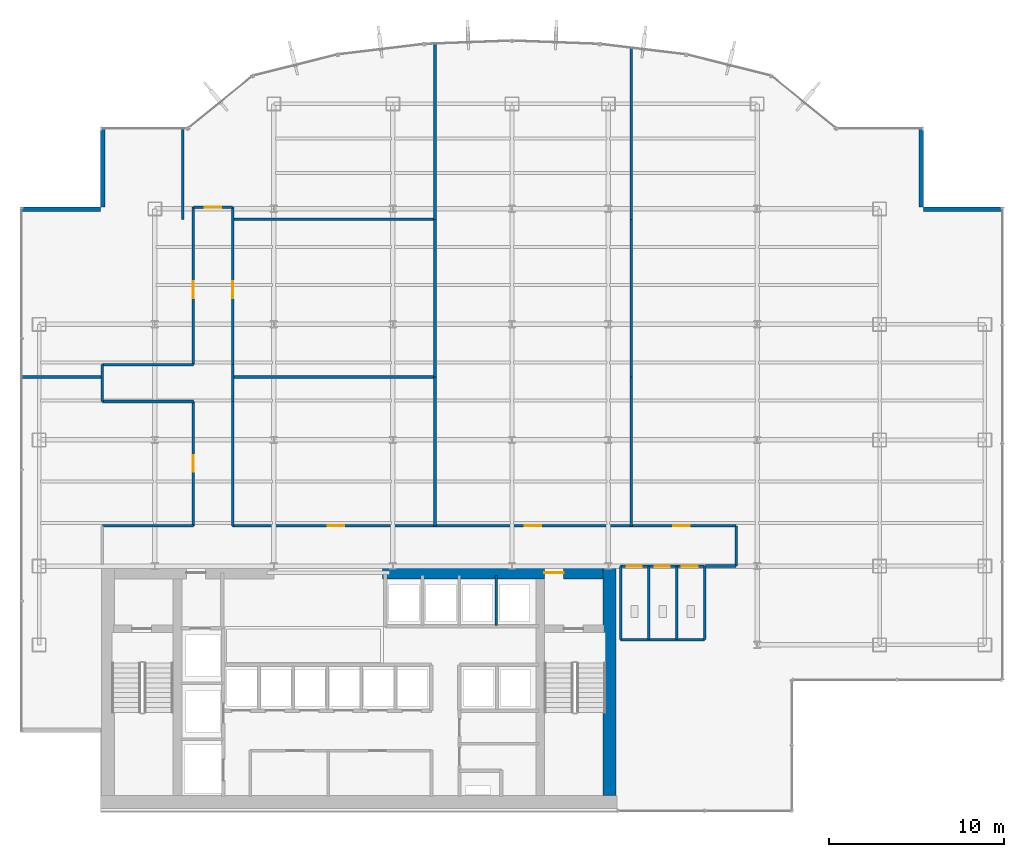
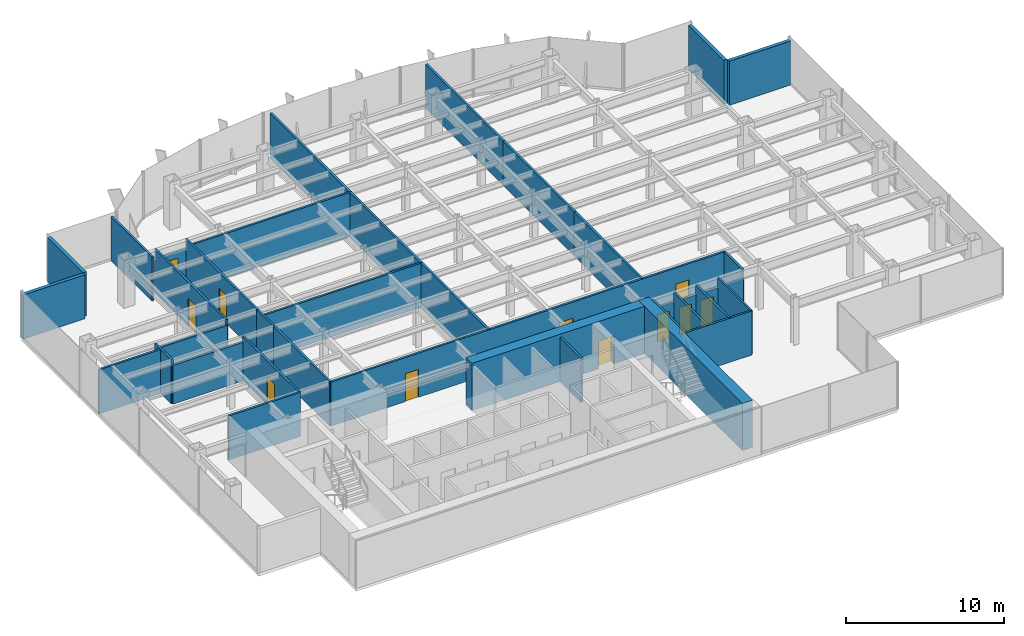
# One storey, part 22 of 26: 36 walls, 11 doors, 11 openings.
"""IFC4 building model written with IfcOpenShell, lengths in metres."""

import ifcopenshell
import ifcopenshell.guid

model = None  # the IFC model being written
_history = None  # IfcOwnerHistory: only IFC2X3 demands one
_inside = {}  # id of a spatial element -> (the spatial element, [elements in it])
_under = {}  # id of a project, library or spatial element -> (it, [spatial elements below it])
_declared = {}  # id of a project -> (the project, [libraries it declares])
_typed = {}  # id of a type object -> (the type object, [elements of that type])
_made_of = {}  # id of a material, layer set ... -> (it, [elements and type objects made of it])


def new_model(schema):
    """Start an empty IFC model of exactly this schema.

    Asked for "IFC4X3", IfcOpenShell would pick the latest addendum, in which some entities
    have other attributes; the version numbers below select the first issue.
    IFC2X3 requires an IfcOwnerHistory on every rooted entity: one is made here for all.
    """
    global model, _history
    if schema == "IFC4X3":
        model = ifcopenshell.file(schema_version=(4, 3, 0, 0))
    else:
        model = ifcopenshell.file(schema=schema)
    _inside.clear()
    _under.clear()
    _declared.clear()
    _typed.clear()
    _made_of.clear()
    _history = None
    if model.schema == "IFC2X3":
        org = make("IfcOrganization", Name="unknown")
        user = make(
            "IfcPersonAndOrganization",
            ThePerson=make("IfcPerson", FamilyName="unknown"),
            TheOrganization=org,
        )
        app = make(
            "IfcApplication",
            ApplicationDeveloper=org,
            Version="unknown",
            ApplicationFullName="unknown",
            ApplicationIdentifier="unknown",
        )
        _history = make(
            "IfcOwnerHistory",
            OwningUser=user,
            OwningApplication=app,
            ChangeAction="ADDED",
            CreationDate=0,
        )
    return model


def make(cls, **values):
    """One entity of the class cls with the attributes given. An attribute that is None is left unset."""
    return model.create_entity(
        cls, **{name: value for name, value in values.items() if value is not None}
    )


def rooted(cls, **values):
    """An entity with a GlobalId (a new one), such as an element, a storey or a relation."""
    return make(cls, GlobalId=ifcopenshell.guid.new(), OwnerHistory=_history, **values)


def si_unit(unit_type, name, prefix=None):
    """IfcSIUnit, for example si_unit("LENGTHUNIT", "METRE", prefix="MILLI")."""
    return make("IfcSIUnit", UnitType=unit_type, Prefix=prefix, Name=name)


def derived_unit(unit_type, elements):
    """IfcDerivedUnit: a product of units, each with its exponent."""
    return make(
        "IfcDerivedUnit",
        Elements=[
            make("IfcDerivedUnitElement", Unit=unit, Exponent=power)
            for unit, power in elements
        ],
        UnitType=unit_type,
    )


def assignment(units):
    """IfcUnitAssignment: the units of a project."""
    return None if units is None else make("IfcUnitAssignment", Units=units)


def point(xyz):
    """IfcCartesianPoint."""
    return None if xyz is None else make("IfcCartesianPoint", Coordinates=xyz)


def direction(xyz):
    """IfcDirection."""
    return None if xyz is None else make("IfcDirection", DirectionRatios=xyz)


def frame(location, z_axis=None, x_axis=None):
    """IfcAxis2Placement3D, a coordinate frame: its origin and axes. An axis left out is left unset."""
    return make(
        "IfcAxis2Placement3D",
        Location=point(location),
        Axis=direction(z_axis),
        RefDirection=direction(x_axis),
    )


def frame_2d(location, x_axis=None):
    """IfcAxis2Placement2D, a coordinate frame in the plane: its origin and x axis."""
    return make(
        "IfcAxis2Placement2D", Location=point(location), RefDirection=direction(x_axis)
    )


def origin():
    """The frame at (0, 0, 0) with its axes left unset."""
    return frame((0.0, 0.0, 0.0))


def place(relative_to, where):
    """IfcLocalPlacement: puts the frame where relative to a parent placement (None: the world)."""
    return make(
        "IfcLocalPlacement", PlacementRelTo=relative_to, RelativePlacement=where
    )


def context(
    kind, dimensions, precision=None, world=None, true_north=None, identifier=None
):
    """IfcGeometricRepresentationContext, for example the 3D "Model" context."""
    return make(
        "IfcGeometricRepresentationContext",
        ContextIdentifier=identifier,
        ContextType=kind,
        CoordinateSpaceDimension=dimensions,
        Precision=precision,
        WorldCoordinateSystem=world,
        TrueNorth=true_north,
    )


def subcontext(parent, identifier, kind, view, scale=None):
    """IfcGeometricRepresentationSubContext, for example "Body" below "Model"."""
    return make(
        "IfcGeometricRepresentationSubContext",
        ContextIdentifier=identifier,
        ContextType=kind,
        ParentContext=parent,
        TargetScale=scale,
        TargetView=view,
    )


def project(units=None, contexts=None):
    """IfcProject with its units and contexts."""
    return rooted(
        "IfcProject",
        Name="project",
        RepresentationContexts=contexts,
        UnitsInContext=assignment(units),
    )


def spatial(cls, under=None, at=None, **own):
    """A site, building, storey or space (cls), placed at a placement, below another one or the project."""
    s = rooted(cls, ObjectPlacement=at, **own)
    if under is not None:
        _under.setdefault(under.id(), (under, []))[1].append(s)
    return s


def profile(cls, at=None, kind="AREA", **sizes):
    """A parametric profile (cls). Its sizes go by their IFC names, for example OverallWidth=200.0."""
    return make(cls, ProfileType=kind, Position=at, **sizes)


def rectangle(**sizes):
    """IfcRectangleProfileDef."""
    return profile("IfcRectangleProfileDef", **sizes)


def extrude(swept, where, along, depth):
    """IfcExtrudedAreaSolid: the profile swept, set in the frame where, extruded along a direction by depth."""
    return make(
        "IfcExtrudedAreaSolid",
        SweptArea=swept,
        Position=where,
        ExtrudedDirection=direction(along),
        Depth=depth,
    )


def shape(context_of_items, identifier, shape_type, items):
    """IfcShapeRepresentation: the items that make up one representation, for example the "Body"."""
    return make(
        "IfcShapeRepresentation",
        ContextOfItems=context_of_items,
        RepresentationIdentifier=identifier,
        RepresentationType=shape_type,
        Items=items,
    )


def source(mapping_origin, context_of_items, identifier, shape_type, items):
    """IfcRepresentationMap: a shape defined once, which mapped items show again and again."""
    return make(
        "IfcRepresentationMap",
        MappingOrigin=mapping_origin,
        MappedRepresentation=shape(context_of_items, identifier, shape_type, items),
    )


def transform(
    local_origin,
    x_axis=None,
    y_axis=None,
    z_axis=None,
    scale=None,
    scale2=None,
    scale3=None,
    uniform=True,
):
    """IfcCartesianTransformationOperator3D, or its non-uniform kind. x_axis, y_axis, z_axis: its Axis1, 2, 3."""
    if uniform:
        return make(
            "IfcCartesianTransformationOperator3D",
            Axis1=direction(x_axis),
            Axis2=direction(y_axis),
            LocalOrigin=point(local_origin),
            Scale=scale,
            Axis3=direction(z_axis),
        )
    return make(
        "IfcCartesianTransformationOperator3DnonUniform",
        Axis1=direction(x_axis),
        Axis2=direction(y_axis),
        LocalOrigin=point(local_origin),
        Scale=scale,
        Axis3=direction(z_axis),
        Scale2=scale2,
        Scale3=scale3,
    )


def mapped(mapping_source, mapping_target):
    """IfcMappedItem: shows the shape of a source again, moved by a transform."""
    return make(
        "IfcMappedItem", MappingSource=mapping_source, MappingTarget=mapping_target
    )


def material(Name=None, Category=None):
    """IfcMaterial."""
    return make("IfcMaterial", Name=Name, Category=Category)


def layer(
    of_material, thickness, ventilated=None, Name=None, Category=None, Priority=None
):
    """IfcMaterialLayer: one layer of a wall or slab, of a material (None: an air gap)."""
    return make(
        "IfcMaterialLayer",
        Material=of_material,
        LayerThickness=thickness,
        IsVentilated=ventilated,
        Name=Name,
        Category=Category,
        Priority=Priority,
    )


def layer_set(layers, Name=None):
    """IfcMaterialLayerSet."""
    return make("IfcMaterialLayerSet", MaterialLayers=layers, LayerSetName=Name)


def made_of(thing, what):
    """Note that an element or type object is made of a material, layer set ...; save() writes the relation."""
    if what is not None:
        _made_of.setdefault(what.id(), (what, []))[1].append(thing)
    return thing


def type_object(cls, material=None, **own):
    """A type object (cls), such as IfcWallType, which elements share."""
    return made_of(rooted(cls, **own), material)


def element(
    cls,
    number,
    at=None,
    inside=None,
    cuts=None,
    type_object=None,
    material=None,
    context=None,
    identifier="Body",
    shape_type=None,
    held_by="IfcProductDefinitionShape",
    body=None,
    shapes=None,
    **own,
):
    """One element of the class cls, such as IfcWall. Its Tag is "e" and its number.

    at: its placement. inside: the storey or other place that contains it. cuts: it is an
    opening in that element (IfcRelVoidsElement). A single representation is given by context,
    identifier, shape_type and body (its items); several are given by shapes. held_by: the class
    of the entity that holds the representations. save() writes the other relations.
    """
    e = rooted(cls, Tag="e%d" % number, ObjectPlacement=at, **own)
    if body is not None:
        shapes = [shape(context, identifier, shape_type, body)]
    if shapes is not None:
        e.Representation = make(held_by, Representations=shapes)
    if inside is not None:
        _inside.setdefault(inside.id(), (inside, []))[1].append(e)
    if cuts is not None:
        rooted(
            "IfcRelVoidsElement", RelatingBuildingElement=cuts, RelatedOpeningElement=e
        )
    if type_object is not None:
        _typed.setdefault(type_object.id(), (type_object, []))[1].append(e)
    return made_of(e, material)


def fill(opening, filler):
    """IfcRelFillsElement: the door or window that sits in an opening."""
    return rooted(
        "IfcRelFillsElement",
        RelatingOpeningElement=opening,
        RelatedBuildingElement=filler,
    )


def aggregate(whole, parts):
    """IfcRelAggregates: a whole, such as a stair, and the parts it consists of."""
    return rooted("IfcRelAggregates", RelatingObject=whole, RelatedObjects=parts)


def save(model, path):
    """Write the relations noted so far, then the file.

    IfcRelAggregates (storeys below a building ...), IfcRelContainedInSpatialStructure (elements
    in a storey), IfcRelDefinesByType, IfcRelAssociatesMaterial and IfcRelDeclares: one each for
    every whole, place, type object, material and project.
    """
    for whole, parts in _under.values():
        aggregate(whole, parts)
    for where, things in _inside.values():
        rooted(
            "IfcRelContainedInSpatialStructure",
            RelatedElements=things,
            RelatingStructure=where,
        )
    for kind, things in _typed.values():
        rooted("IfcRelDefinesByType", RelatedObjects=things, RelatingType=kind)
    for what, things in _made_of.values():
        rooted("IfcRelAssociatesMaterial", RelatedObjects=things, RelatingMaterial=what)
    for by, libraries in _declared.values():
        rooted("IfcRelDeclares", RelatingContext=by, RelatedDefinitions=libraries)
    model.write(path)


model = new_model("IFC4")

# Units and contexts
model_context = context("Model", 3, precision=1e-05, world=origin(), true_north=direction((0.0, 1.0)))
body_context = subcontext(model_context, "Body", "Model", "MODEL_VIEW")
ifc_project = project(units=[si_unit("LENGTHUNIT", "METRE"), si_unit("AREAUNIT", "SQUARE_METRE"), si_unit("VOLUMEUNIT", "CUBIC_METRE"), si_unit("PLANEANGLEUNIT", "RADIAN"), si_unit("MASSUNIT", "GRAM", prefix="KILO"), derived_unit("THERMALTRANSMITTANCEUNIT", [(si_unit("POWERUNIT", "WATT"), 1), (si_unit("LENGTHUNIT", "METRE"), -2), (si_unit("THERMODYNAMICTEMPERATUREUNIT", "KELVIN"), -1)])], contexts=[model_context])

# Site, building, storey
site_placement = place(None, origin())
site = spatial("IfcSite", under=ifc_project, at=site_placement, CompositionType="ELEMENT")
building_placement = place(site_placement, origin())
building = spatial("IfcBuilding", under=site, at=building_placement, Name="Skarnbrae Concourse Arena and Tower", CompositionType="ELEMENT")
storey_placement = place(building_placement, frame((0.0, 0.0, 125.14990234375)))
storey = spatial("IfcBuildingStorey", under=building, at=storey_placement, Name="L31", CompositionType="ELEMENT", Elevation=125.14990234375)

# Wall
ifc_material_1 = material(Name="Concrete 60 MPa (C60/75)", Category="concrete")
ifc_layer_1 = layer(ifc_material_1, 0.75)
ifc_layer_set_1 = layer_set([ifc_layer_1], Name="Concrete 60 MPa (C60/75)")
wall_type_1 = type_object("IfcWallType", Name="WALL-CORE-750-C60", PredefinedType="SHEAR", material=ifc_layer_set_1)
shared_shape_1 = source(origin(), body_context, "Body", "SweptSolid", [
    extrude(rectangle(XDim=13.10009765625, YDim=0.75, at=frame_2d((6.550048828125, 0.0))), origin(), (0.0, 0.0, 1.0), 3.650146484375),
])
wall_1_placement = place(storey_placement, frame((33.574951171875, 0.89990234375, 0.0), z_axis=(0.0, 0.0, 1.0), x_axis=(0.0, 1.0, 0.0)))
element("IfcWall", 1, at=wall_1_placement, inside=storey, type_object=wall_type_1, Name="L31 Rear core shear wall CW-E", PredefinedType="SHEAR", context=body_context, shape_type="MappedRepresentation", body=[
    mapped(shared_shape_1, transform((0.0, 0.0, 0.0))),
])

# Wall, opening, door
shared_shape_2 = source(origin(), body_context, "Body", "SweptSolid", [
    extrude(rectangle(XDim=12.599853515625, YDim=0.75, at=frame_2d((6.2998046875, 0.0))), origin(), (0.0, 0.0, 1.0), 3.650146484375),
])
wall_2_placement = place(storey_placement, frame((20.60009765625, 13.625, 0.0), z_axis=(0.0, 0.0, 1.0), x_axis=(1.0, 0.0, 0.0)))
wall_2 = element("IfcWall", 2, at=wall_2_placement, inside=storey, type_object=wall_type_1, Name="L31 Rear core shear wall CW-NE", PredefinedType="SHEAR", context=body_context, shape_type="MappedRepresentation", body=[
    mapped(shared_shape_2, transform((0.0, 0.0, 0.0))),
])
opening_1_placement = place(wall_2_placement, frame((9.25, 0.0, 0.0)))
opening_1 = element("IfcOpeningElement", 3, at=opening_1_placement, cuts=wall_2, Name="Opening DT-03", PredefinedType="OPENING", context=body_context, shape_type="SweptSolid", body=[
    extrude(rectangle(XDim=1.10009765625, YDim=2.14990234375, at=frame_2d((0.550048828125, 1.074951171875))), frame((0.0, 0.385009765625, 0.0), z_axis=(0.0, -1.0, 0.0), x_axis=(1.0, 0.0, 0.0)), (0.0, 0.0, 1.0), 0.77001953125),
])
ifc_material_2 = material(Name="Steel CSA G40.21 350W", Category="steel")
door_type_1 = type_object("IfcDoorType", Name="DOOR-FIRE-1100-90M", OperationType="NOTDEFINED", PredefinedType="DOOR", material=ifc_material_2)
shared_shape_3 = source(origin(), body_context, "Body", "SweptSolid", [
    extrude(rectangle(XDim=1.10009765625, YDim=2.14990234375, at=frame_2d((0.550048828125, 1.074951171875))), frame((0.0, 0.02490234375, 0.0), z_axis=(0.0, -1.0, 0.0), x_axis=(1.0, 0.0, 0.0)), (0.0, 0.0, 1.0), 0.050048828125),
])
door_1_placement = place(opening_1_placement, origin())
door_1 = element("IfcDoor", 4, at=door_1_placement, inside=storey, type_object=door_type_1, Name="D-1004 Stair ST-2 Vestibule Door", OperationType="SINGLE_SWING_LEFT", OverallHeight=2.14990234375, OverallWidth=1.10009765625, PredefinedType="DOOR", context=body_context, shape_type="MappedRepresentation", body=[
    mapped(shared_shape_3, transform((0.0, 0.0, 0.0))),
])
fill(opening_1, door_1)

# Walls
ifc_material_3 = material(Name="Precast concrete 40 MPa (C40/50)", Category="concrete")
ifc_layer_2 = layer(ifc_material_3, 0.25)
ifc_layer_set_2 = layer_set([ifc_layer_2], Name="Precast concrete 40 MPa (C40/50)")
wall_type_2 = type_object("IfcWallType", Name="WALL-EXT-SPANDREL-250", PredefinedType="STANDARD", material=ifc_layer_set_2)
shared_shape_4 = source(origin(), body_context, "Body", "SweptSolid", [
    extrude(rectangle(XDim=4.5, YDim=0.25, at=frame_2d((2.25, 0.0))), origin(), (0.0, 0.0, 1.0), 3.400146484375),
])
for number, where, z_axis, x_axis, name in (
    (5, (56.0, 34.375, 0.0), (0.0, 0.0, 1.0), (-1.0, 0.0, 0.0), "L31 Notched corner insulated return wall 05"),
    (6, (51.375, 34.5, 0.0), (0.0, 0.0, 1.0), (0.0, 1.0, 0.0), "L31 Notched corner insulated return wall 06"),
    (7, (4.625, 39.0, 0.0), (0.0, 0.0, 1.0), (0.0, -1.0, 0.0), "L31 Notched corner insulated return wall 17"),
    (8, (4.5, 34.375, 0.0), (0.0, 0.0, 1.0), (-1.0, 0.0, 0.0), "L31 Notched corner insulated return wall 18"),
):
    element("IfcWall", number, at=place(storey_placement, frame(where, z_axis=z_axis, x_axis=x_axis)), inside=storey, type_object=wall_type_2, Name=name, PredefinedType="STANDARD", context=body_context, shape_type="MappedRepresentation", body=[
        mapped(shared_shape_4, transform((0.0, 0.0, 0.0))),
    ])
ifc_material_4 = material(Name="Gypsum board on cold-formed steel studs", Category="steel")
ifc_layer_3 = layer(ifc_material_4, 0.14990234375)
ifc_layer_set_3 = layer_set([ifc_layer_3], Name="Gypsum board on cold-formed steel studs")
wall_type_3 = type_object("IfcWallType", Name="WALL-PART-150", PredefinedType="PARTITIONING", material=ifc_layer_set_3)
shared_shape_5 = source(origin(), body_context, "Body", "SweptSolid", [
    extrude(rectangle(XDim=2.849853515625, YDim=0.14990234375, at=frame_2d((1.4248046875, 0.0))), origin(), (0.0, 0.0, 1.0), 3.400146484375),
])
wall_3_placement = place(storey_placement, frame((27.090087890625, 10.60009765625, 0.0), z_axis=(0.0, 0.0, 1.0), x_axis=(0.0, 1.0, 0.0)))
element("IfcWall", 9, at=wall_3_placement, inside=storey, type_object=wall_type_3, Name="L31 Interior partition wall W-L31-B3N-P3", PredefinedType="PARTITIONING", context=body_context, shape_type="MappedRepresentation", body=[
    mapped(shared_shape_5, transform((0.0, 0.0, 0.0))),
])
shared_shape_6 = source(origin(), body_context, "Body", "SweptSolid", [
    extrude(rectangle(XDim=4.800048828125, YDim=0.14990234375, at=frame_2d((2.39990234375, 0.0))), origin(), (0.0, 0.0, 1.0), 3.400146484375),
])
wall_4_placement = place(storey_placement, frame((34.199951171875, 9.800048828125, 0.0), z_axis=(0.0, 0.0, 1.0), x_axis=(1.0, 0.0, 0.0)))
element("IfcWall", 10, at=wall_4_placement, inside=storey, type_object=wall_type_3, Name="L31 Interior partition wall W-L31-WC-S", PredefinedType="PARTITIONING", context=body_context, shape_type="MappedRepresentation", body=[
    mapped(shared_shape_6, transform((0.0, 0.0, 0.0))),
])
shared_shape_7 = source(origin(), body_context, "Body", "SweptSolid", [
    extrude(rectangle(XDim=4.179931640625, YDim=0.14990234375, at=frame_2d((2.08984375, 0.0))), origin(), (0.0, 0.0, 1.0), 3.400146484375),
])
for number, where, z_axis, x_axis, name in (
    (11, (39.0, 9.800048828125, 0.0), (0.0, 0.0, 1.0), (0.0, 1.0, 0.0), "L31 Interior partition wall W-L31-WC-E"),
    (12, (34.199951171875, 9.800048828125, 0.0), (0.0, 0.0, 1.0), (0.0, 1.0, 0.0), "L31 Interior partition wall W-L31-WC-W"),
    (13, (35.800048828125, 9.800048828125, 0.0), (0.0, 0.0, 1.0), (0.0, 1.0, 0.0), "L31 Interior partition wall W-L31-WC-D1"),
    (14, (37.39990234375, 9.800048828125, 0.0), (0.0, 0.0, 1.0), (0.0, 1.0, 0.0), "L31 Interior partition wall W-L31-WC-D2"),
):
    element("IfcWall", number, at=place(storey_placement, frame(where, z_axis=z_axis, x_axis=x_axis)), inside=storey, type_object=wall_type_3, Name=name, PredefinedType="PARTITIONING", context=body_context, shape_type="MappedRepresentation", body=[
        mapped(shared_shape_7, transform((0.0, 0.0, 0.0))),
    ])

# Wall, openings, doors
shared_shape_8 = source(origin(), body_context, "Body", "SweptSolid", [
    extrude(rectangle(XDim=4.800048828125, YDim=0.14990234375, at=frame_2d((2.39990234375, 0.0))), origin(), (0.0, 0.0, 1.0), 2.7021484375),
])
wall_5_placement = place(storey_placement, frame((34.199951171875, 13.97998046875, 0.0), z_axis=(0.0, 0.0, 1.0), x_axis=(1.0, 0.0, 0.0)))
wall_5 = element("IfcWall", 15, at=wall_5_placement, inside=storey, type_object=wall_type_3, Name="L31 Interior partition wall W-L31-WC-N", PredefinedType="PARTITIONING", context=body_context, shape_type="MappedRepresentation", body=[
    mapped(shared_shape_8, transform((0.0, 0.0, 0.0))),
])
opening_2_placement = place(wall_5_placement, frame((0.35009765625, 0.0, 0.0)))
opening_2 = element("IfcOpeningElement", 16, at=opening_2_placement, cuts=wall_5, Name="Opening DT-06", PredefinedType="OPENING", context=body_context, shape_type="SweptSolid", body=[
    extrude(rectangle(XDim=0.85009765625, YDim=2.10009765625, at=frame_2d((0.425048828125, 1.050048828125))), frame((0.0, 0.0849609375, 0.0), z_axis=(0.0, -1.0, 0.0), x_axis=(1.0, 0.0, 0.0)), (0.0, 0.0, 1.0), 0.169921875),
])
opening_3_placement = place(wall_5_placement, frame((1.949951171875, 0.0, 0.0)))
opening_3 = element("IfcOpeningElement", 17, at=opening_3_placement, cuts=wall_5, Name="Opening DT-06", PredefinedType="OPENING", context=body_context, shape_type="SweptSolid", body=[
    extrude(rectangle(XDim=0.85009765625, YDim=2.10009765625, at=frame_2d((0.425048828125, 1.050048828125))), frame((0.0, 0.0849609375, 0.0), z_axis=(0.0, -1.0, 0.0), x_axis=(1.0, 0.0, 0.0)), (0.0, 0.0, 1.0), 0.169921875),
])
opening_4_placement = place(wall_5_placement, frame((3.5, 0.0, 0.0)))
opening_4 = element("IfcOpeningElement", 18, at=opening_4_placement, cuts=wall_5, Name="Opening DT-05", PredefinedType="OPENING", context=body_context, shape_type="SweptSolid", body=[
    extrude(rectangle(XDim=0.89990234375, YDim=2.10009765625, at=frame_2d((0.449951171875, 1.050048828125))), frame((0.0, 0.0849609375, 0.0), z_axis=(0.0, -1.0, 0.0), x_axis=(1.0, 0.0, 0.0)), (0.0, 0.0, 1.0), 0.169921875),
])
ifc_material_5 = material(Name="Architectural oak veneer timber leaf", Category="wood")
door_type_2 = type_object("IfcDoorType", Name="DOOR-INT-850", OperationType="NOTDEFINED", PredefinedType="DOOR", material=ifc_material_5)
shared_shape_9 = source(origin(), body_context, "Body", "SweptSolid", [
    extrude(rectangle(XDim=0.85009765625, YDim=2.10009765625, at=frame_2d((0.425048828125, 1.050048828125))), frame((0.0, 0.02490234375, 0.0), z_axis=(0.0, -1.0, 0.0), x_axis=(1.0, 0.0, 0.0)), (0.0, 0.0, 1.0), 0.050048828125),
])
door_2_placement = place(opening_2_placement, frame((0.85009765625, 0.0, 0.0), z_axis=(0.0, 0.0, 1.0), x_axis=(-1.0, 0.0, 0.0)))
door_2 = element("IfcDoor", 19, at=door_2_placement, inside=storey, type_object=door_type_2, Name="D-1018 Male Washroom Door", OperationType="SINGLE_SWING_LEFT", OverallHeight=2.10009765625, OverallWidth=0.85009765625, PredefinedType="DOOR", context=body_context, shape_type="MappedRepresentation", body=[
    mapped(shared_shape_9, transform((0.0, 0.0, 0.0))),
])
fill(opening_2, door_2)
door_3_placement = place(opening_3_placement, frame((0.85009765625, 0.0, 0.0), z_axis=(0.0, 0.0, 1.0), x_axis=(-1.0, 0.0, 0.0)))
door_3 = element("IfcDoor", 20, at=door_3_placement, inside=storey, type_object=door_type_2, Name="D-1019 Female Washroom Door", OperationType="SINGLE_SWING_RIGHT", OverallHeight=2.10009765625, OverallWidth=0.85009765625, PredefinedType="DOOR", context=body_context, shape_type="MappedRepresentation", body=[
    mapped(shared_shape_9, transform((0.0, 0.0, 0.0))),
])
fill(opening_3, door_3)
door_type_3 = type_object("IfcDoorType", Name="DOOR-INT-900", OperationType="NOTDEFINED", PredefinedType="DOOR", material=ifc_material_5)
shared_shape_10 = source(origin(), body_context, "Body", "SweptSolid", [
    extrude(rectangle(XDim=0.89990234375, YDim=2.10009765625, at=frame_2d((0.449951171875, 1.050048828125))), frame((0.0, 0.02490234375, 0.0), z_axis=(0.0, -1.0, 0.0), x_axis=(1.0, 0.0, 0.0)), (0.0, 0.0, 1.0), 0.050048828125),
])
door_4_placement = place(opening_4_placement, frame((0.89990234375, 0.0, 0.0), z_axis=(0.0, 0.0, 1.0), x_axis=(-1.0, 0.0, 0.0)))
door_4 = element("IfcDoor", 21, at=door_4_placement, inside=storey, type_object=door_type_3, Name="D-1020 Accessible WC Door", OperationType="SINGLE_SWING_LEFT", OverallHeight=2.10009765625, OverallWidth=0.89990234375, PredefinedType="DOOR", context=body_context, shape_type="MappedRepresentation", body=[
    mapped(shared_shape_10, transform((0.0, 0.0, 0.0))),
])
fill(opening_4, door_4)

# Wall
ifc_layer_4 = layer(ifc_material_4, 0.14990234375)
ifc_layer_set_4 = layer_set([ifc_layer_4], Name="Gypsum board on cold-formed steel studs")
wall_type_4 = type_object("IfcWallType", Name="WALL-PART-150-1HR", PredefinedType="PARTITIONING", material=ifc_layer_set_4)
shared_shape_11 = source(origin(), body_context, "Body", "SweptSolid", [
    extrude(rectangle(XDim=5.199951171875, YDim=0.14990234375, at=frame_2d((2.60009765625, 0.0))), origin(), (0.0, 0.0, 1.0), 3.400146484375),
])
wall_6_placement = place(storey_placement, frame((4.60009765625, 16.300048828125, 0.0), z_axis=(0.0, 0.0, 1.0), x_axis=(1.0, 0.0, 0.0)))
element("IfcWall", 22, at=wall_6_placement, inside=storey, type_object=wall_type_4, Name="L31 Interior partition wall W-L31-COR-02", PredefinedType="PARTITIONING", context=body_context, shape_type="MappedRepresentation", body=[
    mapped(shared_shape_11, transform((0.0, 0.0, 0.0))),
])

# Wall, opening, door
shared_shape_12 = source(origin(), body_context, "Body", "SweptSolid", [
    extrude(rectangle(XDim=7.099853515625, YDim=0.14990234375, at=frame_2d((3.5498046875, 0.0))), origin(), (0.0, 0.0, 1.0), 3.400146484375),
])
wall_7_placement = place(storey_placement, frame((9.800048828125, 16.300048828125, 0.0), z_axis=(0.0, 0.0, 1.0), x_axis=(0.0, 1.0, 0.0)))
wall_7 = element("IfcWall", 23, at=wall_7_placement, inside=storey, type_object=wall_type_4, Name="L31 Interior partition wall W-L31-COR-03", PredefinedType="PARTITIONING", context=body_context, shape_type="MappedRepresentation", body=[
    mapped(shared_shape_12, transform((0.0, 0.0, 0.0))),
])
opening_5_placement = place(wall_7_placement, frame((3.074951171875, 0.0, 0.0)))
opening_5 = element("IfcOpeningElement", 24, at=opening_5_placement, cuts=wall_7, Name="Opening DT-04", PredefinedType="OPENING", context=body_context, shape_type="SweptSolid", body=[
    extrude(rectangle(XDim=0.949951171875, YDim=2.14990234375, at=frame_2d((0.47509765625, 1.074951171875))), frame((0.0, 0.0849609375, 0.0), z_axis=(0.0, -1.0, 0.0), x_axis=(1.0, 0.0, 0.0)), (0.0, 0.0, 1.0), 0.169921875),
])
door_type_4 = type_object("IfcDoorType", Name="DOOR-INT-950-45M", OperationType="NOTDEFINED", PredefinedType="DOOR", material=ifc_material_2)
shared_shape_13 = source(origin(), body_context, "Body", "SweptSolid", [
    extrude(rectangle(XDim=0.949951171875, YDim=2.14990234375, at=frame_2d((0.47509765625, 1.074951171875))), frame((0.0, 0.02490234375, 0.0), z_axis=(0.0, -1.0, 0.0), x_axis=(1.0, 0.0, 0.0)), (0.0, 0.0, 1.0), 0.050048828125),
])
door_5_placement = place(opening_5_placement, origin())
door_5 = element("IfcDoor", 25, at=door_5_placement, inside=storey, type_object=door_type_4, Name="D-1021 L31 Suite Door 01", OperationType="SINGLE_SWING_RIGHT", OverallHeight=2.14990234375, OverallWidth=0.949951171875, PredefinedType="DOOR", context=body_context, shape_type="MappedRepresentation", body=[
    mapped(shared_shape_13, transform((0.0, 0.0, 0.0))),
])
fill(opening_5, door_5)

# Walls
wall_8_placement = place(storey_placement, frame((12.050048828125, 23.39990234375, 0.0), z_axis=(0.0, 0.0, 1.0), x_axis=(0.0, -1.0, 0.0)))
element("IfcWall", 26, at=wall_8_placement, inside=storey, type_object=wall_type_4, Name="L31 Interior partition wall W-L31-COR-11", PredefinedType="PARTITIONING", context=body_context, shape_type="MappedRepresentation", body=[
    mapped(shared_shape_12, transform((0.0, 0.0, 0.0))),
])
shared_shape_14 = source(origin(), body_context, "Body", "SweptSolid", [
    extrude(rectangle(XDim=5.199951171875, YDim=0.14990234375, at=frame_2d((2.60009765625, 0.0))), origin(), (0.0, 0.0, 1.0), 2.988037109375),
])
for number, where, z_axis, x_axis, name in (
    (27, (9.800048828125, 23.39990234375, 0.0), (0.0, 0.0, 1.0), (-1.0, 0.0, 0.0), "L31 Interior partition wall W-L31-COR-04"),
    (28, (4.60009765625, 25.5, 0.0), (0.0, 0.0, 1.0), (1.0, 0.0, 0.0), "L31 Interior partition wall W-L31-COR-06"),
):
    element("IfcWall", number, at=place(storey_placement, frame(where, z_axis=z_axis, x_axis=x_axis)), inside=storey, type_object=wall_type_4, Name=name, PredefinedType="PARTITIONING", context=body_context, shape_type="MappedRepresentation", body=[
        mapped(shared_shape_14, transform((0.0, 0.0, 0.0))),
    ])
shared_shape_15 = source(origin(), body_context, "Body", "SweptSolid", [
    extrude(rectangle(XDim=2.10009765625, YDim=0.14990234375, at=frame_2d((1.050048828125, 0.0))), origin(), (0.0, 0.0, 1.0), 3.400146484375),
])
for number, where, z_axis, x_axis, name in (
    (29, (4.60009765625, 23.39990234375, 0.0), (0.0, 0.0, 1.0), (0.0, 1.0, 0.0), "L31 Interior partition wall W-L31-COR-05"),
    (30, (12.050048828125, 25.5, 0.0), (0.0, 0.0, 1.0), (0.0, -1.0, 0.0), "L31 Interior partition wall W-L31-COR-10"),
):
    element("IfcWall", number, at=place(storey_placement, frame(where, z_axis=z_axis, x_axis=x_axis)), inside=storey, type_object=wall_type_4, Name=name, PredefinedType="PARTITIONING", context=body_context, shape_type="MappedRepresentation", body=[
        mapped(shared_shape_15, transform((0.0, 0.0, 0.0))),
    ])

# Wall, opening, door
shared_shape_16 = source(origin(), body_context, "Body", "SweptSolid", [
    extrude(rectangle(XDim=9.0, YDim=0.14990234375, at=frame_2d((4.5, 0.0))), origin(), (0.0, 0.0, 1.0), 3.400146484375),
])
wall_9_placement = place(storey_placement, frame((9.800048828125, 25.5, 0.0), z_axis=(0.0, 0.0, 1.0), x_axis=(0.0, 1.0, 0.0)))
wall_9 = element("IfcWall", 31, at=wall_9_placement, inside=storey, type_object=wall_type_4, Name="L31 Interior partition wall W-L31-COR-07", PredefinedType="PARTITIONING", context=body_context, shape_type="MappedRepresentation", body=[
    mapped(shared_shape_16, transform((0.0, 0.0, 0.0))),
])
opening_6_placement = place(wall_9_placement, frame((3.804931640625, 0.0, 0.0)))
opening_6 = element("IfcOpeningElement", 32, at=opening_6_placement, cuts=wall_9, Name="Opening DT-04", PredefinedType="OPENING", context=body_context, shape_type="SweptSolid", body=[
    extrude(rectangle(XDim=0.949951171875, YDim=2.14990234375, at=frame_2d((0.47509765625, 1.074951171875))), frame((0.0, 0.0849609375, 0.0), z_axis=(0.0, -1.0, 0.0), x_axis=(1.0, 0.0, 0.0)), (0.0, 0.0, 1.0), 0.169921875),
])
door_6_placement = place(opening_6_placement, origin())
door_6 = element("IfcDoor", 33, at=door_6_placement, inside=storey, type_object=door_type_4, Name="D-1022 L31 Suite Door 02", OperationType="SINGLE_SWING_LEFT", OverallHeight=2.14990234375, OverallWidth=0.949951171875, PredefinedType="DOOR", context=body_context, shape_type="MappedRepresentation", body=[
    mapped(shared_shape_13, transform((0.0, 0.0, 0.0))),
])
fill(opening_6, door_6)

wall_10_placement = place(storey_placement, frame((12.050048828125, 34.5, 0.0), z_axis=(0.0, 0.0, 1.0), x_axis=(0.0, -1.0, 0.0)))
wall_10 = element("IfcWall", 34, at=wall_10_placement, inside=storey, type_object=wall_type_4, Name="L31 Interior partition wall W-L31-COR-09", PredefinedType="PARTITIONING", context=body_context, shape_type="MappedRepresentation", body=[
    mapped(shared_shape_16, transform((0.0, 0.0, 0.0))),
])
opening_7_placement = place(wall_10_placement, frame((4.2451171875, 0.0, 0.0)))
opening_7 = element("IfcOpeningElement", 35, at=opening_7_placement, cuts=wall_10, Name="Opening DT-04", PredefinedType="OPENING", context=body_context, shape_type="SweptSolid", body=[
    extrude(rectangle(XDim=0.949951171875, YDim=2.14990234375, at=frame_2d((0.47509765625, 1.074951171875))), frame((0.0, 0.0849609375, 0.0), z_axis=(0.0, -1.0, 0.0), x_axis=(1.0, 0.0, 0.0)), (0.0, 0.0, 1.0), 0.169921875),
])
door_7_placement = place(opening_7_placement, origin())
door_7 = element("IfcDoor", 36, at=door_7_placement, inside=storey, type_object=door_type_4, Name="D-1025 L31 Suite Door 05", OperationType="SINGLE_SWING_RIGHT", OverallHeight=2.14990234375, OverallWidth=0.949951171875, PredefinedType="DOOR", context=body_context, shape_type="MappedRepresentation", body=[
    mapped(shared_shape_13, transform((0.0, 0.0, 0.0))),
])
fill(opening_7, door_7)

# Walls
for number, where, z_axis, x_axis, name in (
    (37, (23.60009765625, 33.800048828125, 0.0), (0.0, 0.0, 1.0), (0.0, -1.0, 0.0), "L31 Interior partition wall W-L31-DEM-20"),
    (38, (34.800048828125, 33.800048828125, 0.0), (0.0, 0.0, 1.0), (0.0, -1.0, 0.0), "L31 Interior partition wall W-L31-DEM-23"),
):
    element("IfcWall", number, at=place(storey_placement, frame(where, z_axis=z_axis, x_axis=x_axis)), inside=storey, type_object=wall_type_3, Name=name, PredefinedType="PARTITIONING", context=body_context, shape_type="MappedRepresentation", body=[
        mapped(shared_shape_16, transform((0.0, 0.0, 0.0))),
    ])

# Wall, opening, door
shared_shape_17 = source(origin(), body_context, "Body", "SweptSolid", [
    extrude(rectangle(XDim=2.25, YDim=0.14990234375, at=frame_2d((1.125, 0.0))), origin(), (0.0, 0.0, 1.0), 2.7021484375),
])
wall_11_placement = place(storey_placement, frame((9.800048828125, 34.5, 0.0), z_axis=(0.0, 0.0, 1.0), x_axis=(1.0, 0.0, 0.0)))
wall_11 = element("IfcWall", 39, at=wall_11_placement, inside=storey, type_object=wall_type_4, Name="L31 Interior partition wall W-L31-COR-08", PredefinedType="PARTITIONING", context=body_context, shape_type="MappedRepresentation", body=[
    mapped(shared_shape_17, transform((0.0, 0.0, 0.0))),
])
opening_8_placement = place(wall_11_placement, frame((0.64990234375, 0.0, 0.0)))
opening_8 = element("IfcOpeningElement", 40, at=opening_8_placement, cuts=wall_11, Name="Opening DT-04", PredefinedType="OPENING", context=body_context, shape_type="SweptSolid", body=[
    extrude(rectangle(XDim=0.949951171875, YDim=2.14990234375, at=frame_2d((0.47509765625, 1.074951171875))), frame((0.0, 0.0849609375, 0.0), z_axis=(0.0, -1.0, 0.0), x_axis=(1.0, 0.0, 0.0)), (0.0, 0.0, 1.0), 0.169921875),
])
door_8_placement = place(opening_8_placement, origin())
door_8 = element("IfcDoor", 41, at=door_8_placement, inside=storey, type_object=door_type_4, Name="D-1023 L31 Suite Door 03", OperationType="SINGLE_SWING_RIGHT", OverallHeight=2.14990234375, OverallWidth=0.949951171875, PredefinedType="DOOR", context=body_context, shape_type="MappedRepresentation", body=[
    mapped(shared_shape_13, transform((0.0, 0.0, 0.0))),
])
fill(opening_8, door_8)

# Wall, openings, doors
shared_shape_18 = source(origin(), body_context, "Body", "SweptSolid", [
    extrude(rectangle(XDim=28.75, YDim=0.14990234375, at=frame_2d((14.375, 0.0))), origin(), (0.0, 0.0, 1.0), 3.400146484375),
])
wall_12_placement = place(storey_placement, frame((12.050048828125, 16.300048828125, 0.0), z_axis=(0.0, 0.0, 1.0), x_axis=(1.0, 0.0, 0.0)))
wall_12 = element("IfcWall", 42, at=wall_12_placement, inside=storey, type_object=wall_type_4, Name="L31 Interior partition wall W-L31-COR-12", PredefinedType="PARTITIONING", context=body_context, shape_type="MappedRepresentation", body=[
    mapped(shared_shape_18, transform((0.0, 0.0, 0.0))),
])
opening_9_placement = place(wall_12_placement, frame((5.429931640625, 0.0, 0.0)))
opening_9 = element("IfcOpeningElement", 43, at=opening_9_placement, cuts=wall_12, Name="Opening DT-04", PredefinedType="OPENING", context=body_context, shape_type="SweptSolid", body=[
    extrude(rectangle(XDim=0.949951171875, YDim=2.14990234375, at=frame_2d((0.47509765625, 1.074951171875))), frame((0.0, 0.0849609375, 0.0), z_axis=(0.0, -1.0, 0.0), x_axis=(1.0, 0.0, 0.0)), (0.0, 0.0, 1.0), 0.169921875),
])
opening_10_placement = place(wall_12_placement, frame((16.675048828125, 0.0, 0.0)))
opening_10 = element("IfcOpeningElement", 44, at=opening_10_placement, cuts=wall_12, Name="Opening DT-04", PredefinedType="OPENING", context=body_context, shape_type="SweptSolid", body=[
    extrude(rectangle(XDim=0.949951171875, YDim=2.14990234375, at=frame_2d((0.47509765625, 1.074951171875))), frame((0.0, 0.0849609375, 0.0), z_axis=(0.0, -1.0, 0.0), x_axis=(1.0, 0.0, 0.0)), (0.0, 0.0, 1.0), 0.169921875),
])
opening_11_placement = place(wall_12_placement, frame((25.14501953125, 0.0, 0.0)))
opening_11 = element("IfcOpeningElement", 45, at=opening_11_placement, cuts=wall_12, Name="Opening DT-04", PredefinedType="OPENING", context=body_context, shape_type="SweptSolid", body=[
    extrude(rectangle(XDim=0.949951171875, YDim=2.14990234375, at=frame_2d((0.47509765625, 1.074951171875))), frame((0.0, 0.0849609375, 0.0), z_axis=(0.0, -1.0, 0.0), x_axis=(1.0, 0.0, 0.0)), (0.0, 0.0, 1.0), 0.169921875),
])
door_9_placement = place(opening_9_placement, origin())
door_9 = element("IfcDoor", 46, at=door_9_placement, inside=storey, type_object=door_type_4, Name="D-1024 L31 Suite Door 04", OperationType="SINGLE_SWING_LEFT", OverallHeight=2.14990234375, OverallWidth=0.949951171875, PredefinedType="DOOR", context=body_context, shape_type="MappedRepresentation", body=[
    mapped(shared_shape_13, transform((0.0, 0.0, 0.0))),
])
fill(opening_9, door_9)
door_10_placement = place(opening_10_placement, origin())
door_10 = element("IfcDoor", 47, at=door_10_placement, inside=storey, type_object=door_type_4, Name="D-1026 L31 Suite Door 06", OperationType="SINGLE_SWING_LEFT", OverallHeight=2.14990234375, OverallWidth=0.949951171875, PredefinedType="DOOR", context=body_context, shape_type="MappedRepresentation", body=[
    mapped(shared_shape_13, transform((0.0, 0.0, 0.0))),
])
fill(opening_10, door_10)
door_11_placement = place(opening_11_placement, origin())
door_11 = element("IfcDoor", 48, at=door_11_placement, inside=storey, type_object=door_type_4, Name="D-1027 L31 Suite Door 07", OperationType="SINGLE_SWING_RIGHT", OverallHeight=2.14990234375, OverallWidth=0.949951171875, PredefinedType="DOOR", context=body_context, shape_type="MappedRepresentation", body=[
    mapped(shared_shape_13, transform((0.0, 0.0, 0.0))),
])
fill(opening_11, door_11)

# Walls
shared_shape_19 = source(origin(), body_context, "Body", "SweptSolid", [
    extrude(rectangle(XDim=2.300048828125, YDim=0.14990234375, at=frame_2d((1.14990234375, 0.0))), origin(), (0.0, 0.0, 1.0), 3.400146484375),
])
wall_13_placement = place(storey_placement, frame((40.800048828125, 16.300048828125, 0.0), z_axis=(0.0, 0.0, 1.0), x_axis=(0.0, -1.0, 0.0)))
element("IfcWall", 49, at=wall_13_placement, inside=storey, type_object=wall_type_4, Name="L31 Interior partition wall W-L31-COR-13", PredefinedType="PARTITIONING", context=body_context, shape_type="MappedRepresentation", body=[
    mapped(shared_shape_19, transform((0.0, 0.0, 0.0))),
])
shared_shape_20 = source(origin(), body_context, "Body", "SweptSolid", [
    extrude(rectangle(XDim=1.75, YDim=0.14990234375, at=frame_2d((0.875, 0.0))), origin(), (0.0, 0.0, 1.0), 2.7021484375),
])
wall_14_placement = place(storey_placement, frame((40.800048828125, 14.0, 0.0), z_axis=(0.0, 0.0, 1.0), x_axis=(-1.0, 0.0, 0.0)))
element("IfcWall", 50, at=wall_14_placement, inside=storey, type_object=wall_type_4, Name="L31 Interior partition wall W-L31-COR-14", PredefinedType="PARTITIONING", context=body_context, shape_type="MappedRepresentation", body=[
    mapped(shared_shape_20, transform((0.0, 0.0, 0.0))),
])
shared_shape_21 = source(origin(), body_context, "Body", "SweptSolid", [
    extrude(rectangle(XDim=4.580078125, YDim=0.14990234375, at=frame_2d((2.2900390625, 0.0))), origin(), (0.0, 0.0, 1.0), 3.400146484375),
])
wall_15_placement = place(storey_placement, frame((0.02001953125, 24.800048828125, 0.0), z_axis=(0.0, 0.0, 1.0), x_axis=(1.0, 0.0, 0.0)))
element("IfcWall", 51, at=wall_15_placement, inside=storey, type_object=wall_type_3, Name="L31 Interior partition wall W-L31-DEM-15", PredefinedType="PARTITIONING", context=body_context, shape_type="MappedRepresentation", body=[
    mapped(shared_shape_21, transform((0.0, 0.0, 0.0))),
])
shared_shape_22 = source(origin(), body_context, "Body", "SweptSolid", [
    extrude(rectangle(XDim=5.179931640625, YDim=0.14990234375, at=frame_2d((2.58984375, 0.0))), origin(), (0.0, 0.0, 1.0), 3.400146484375),
])
wall_16_placement = place(storey_placement, frame((9.199951171875, 38.97998046875, 0.0), z_axis=(0.0, 0.0, 1.0), x_axis=(0.0, -1.0, 0.0)))
element("IfcWall", 52, at=wall_16_placement, inside=storey, type_object=wall_type_3, Name="L31 Interior partition wall W-L31-DEM-16", PredefinedType="PARTITIONING", context=body_context, shape_type="MappedRepresentation", body=[
    mapped(shared_shape_22, transform((0.0, 0.0, 0.0))),
])
shared_shape_23 = source(origin(), body_context, "Body", "SweptSolid", [
    extrude(rectangle(XDim=11.550048828125, YDim=0.14990234375, at=frame_2d((5.77490234375, 0.0))), origin(), (0.0, 0.0, 1.0), 3.400146484375),
])
for number, where, z_axis, x_axis, name in (
    (53, (12.050048828125, 24.800048828125, 0.0), (0.0, 0.0, 1.0), (1.0, 0.0, 0.0), "L31 Interior partition wall W-L31-DEM-17"),
    (54, (23.60009765625, 33.800048828125, 0.0), (0.0, 0.0, 1.0), (-1.0, 0.0, 0.0), "L31 Interior partition wall W-L31-DEM-18"),
):
    element("IfcWall", number, at=place(storey_placement, frame(where, z_axis=z_axis, x_axis=x_axis)), inside=storey, type_object=wall_type_3, Name=name, PredefinedType="PARTITIONING", context=body_context, shape_type="MappedRepresentation", body=[
        mapped(shared_shape_23, transform((0.0, 0.0, 0.0))),
    ])
shared_shape_24 = source(origin(), body_context, "Body", "SweptSolid", [
    extrude(rectangle(XDim=8.5, YDim=0.14990234375, at=frame_2d((4.25, 0.0))), origin(), (0.0, 0.0, 1.0), 3.400146484375),
])
for number, where, z_axis, x_axis, name in (
    (55, (23.60009765625, 24.800048828125, 0.0), (0.0, 0.0, 1.0), (0.0, -1.0, 0.0), "L31 Interior partition wall W-L31-DEM-19"),
    (56, (34.800048828125, 24.800048828125, 0.0), (0.0, 0.0, 1.0), (0.0, -1.0, 0.0), "L31 Interior partition wall W-L31-DEM-24"),
):
    element("IfcWall", number, at=place(storey_placement, frame(where, z_axis=z_axis, x_axis=x_axis)), inside=storey, type_object=wall_type_3, Name=name, PredefinedType="PARTITIONING", context=body_context, shape_type="MappedRepresentation", body=[
        mapped(shared_shape_24, transform((0.0, 0.0, 0.0))),
    ])
shared_shape_25 = source(origin(), body_context, "Body", "SweptSolid", [
    extrude(rectangle(XDim=10.016357421875, YDim=0.14990234375, at=frame_2d((5.00830078125, 0.0))), origin(), (0.0, 0.0, 1.0), 3.400146484375),
])
wall_17_placement = place(storey_placement, frame((23.60009765625, 43.81640625, 0.0), z_axis=(0.0, 0.0, 1.0), x_axis=(0.0, -1.0, 0.0)))
element("IfcWall", 57, at=wall_17_placement, inside=storey, type_object=wall_type_3, Name="L31 Interior partition wall W-L31-DEM-21", PredefinedType="PARTITIONING", context=body_context, shape_type="MappedRepresentation", body=[
    mapped(shared_shape_25, transform((0.0, 0.0, 0.0))),
])
shared_shape_26 = source(origin(), body_context, "Body", "SweptSolid", [
    extrude(rectangle(XDim=9.775634765625, YDim=0.14990234375, at=frame_2d((4.8876953125, 0.0))), origin(), (0.0, 0.0, 1.0), 3.400146484375),
])
wall_18_placement = place(storey_placement, frame((34.800048828125, 43.57568359375, 0.0), z_axis=(0.0, 0.0, 1.0), x_axis=(0.0, -1.0, 0.0)))
element("IfcWall", 58, at=wall_18_placement, inside=storey, type_object=wall_type_3, Name="L31 Interior partition wall W-L31-DEM-22", PredefinedType="PARTITIONING", context=body_context, shape_type="MappedRepresentation", body=[
    mapped(shared_shape_26, transform((0.0, 0.0, 0.0))),
])

save(model, "model.ifc")
